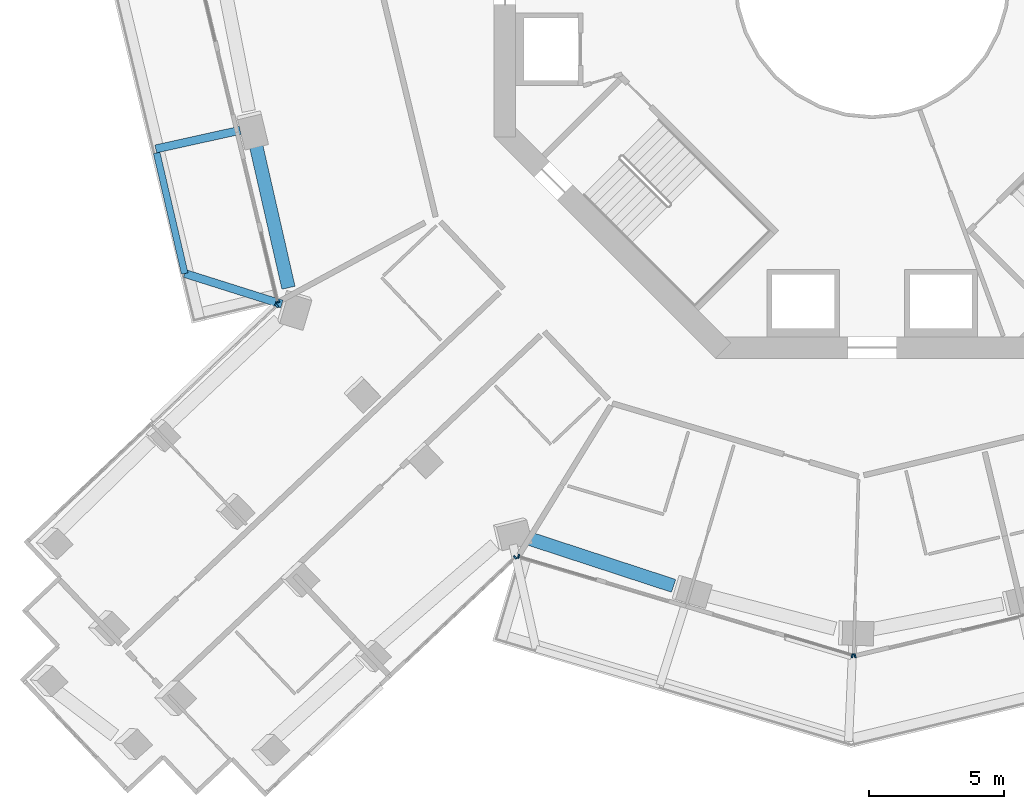
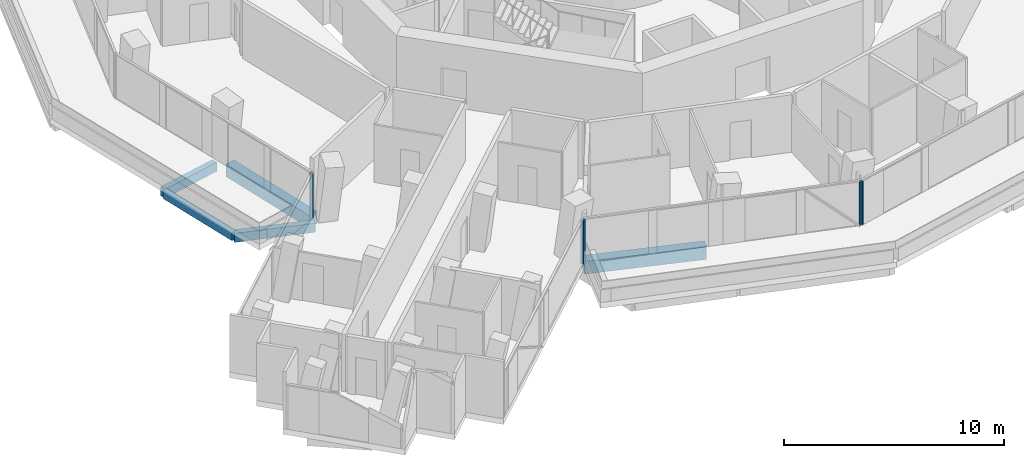
# One storey, part 3 of 27: 6 members, 5 beams, 5 elements without a shape of their own.
"""IFC4 building model written with IfcOpenShell, lengths in metres."""

from ifc_helpers import new_model, si_unit, direction, frame, origin, origin_2d, place, context, subcontext, project, spatial, rectangle, extrude, material, layer, layer_set, material_profile, profile_set, type_object, element, aggregate, save


model = new_model("IFC4")

# Units and contexts
model_context = context("Model", 3, precision=1e-05, world=origin(), true_north=direction((0.0, 1.0)))
body_context = subcontext(model_context, "Body", "Model", "MODEL_VIEW")
ifc_project = project(units=[si_unit("LENGTHUNIT", "METRE"), si_unit("AREAUNIT", "SQUARE_METRE"), si_unit("VOLUMEUNIT", "CUBIC_METRE"), si_unit("PLANEANGLEUNIT", "RADIAN"), si_unit("MASSUNIT", "GRAM", prefix="KILO")], contexts=[model_context])

# Site, building, storey
site_placement = place(None, origin())
site = spatial("IfcSite", under=ifc_project, at=site_placement, CompositionType="ELEMENT")
building_placement = place(site_placement, origin())
building = spatial("IfcBuilding", under=site, at=building_placement, Name="Verdalira Terraces Hotel", CompositionType="ELEMENT")
storey_placement = place(building_placement, frame((0.0, 0.0, 89.5)))
storey = spatial("IfcBuildingStorey", under=building, at=storey_placement, Name="L20", CompositionType="ELEMENT", Elevation=89.5)

# Beams
ifc_material_1 = material(Name="Concrete C40", Category="concrete")
ifc_material_profile_1 = material_profile(ifc_material_1, rectangle(XDim=0.300049, YDim=0.5, at=origin_2d()), Name="RC 300X500")
ifc_profile_set_1 = profile_set([ifc_material_profile_1], Name="Concrete C40")
beam_type_1 = type_object("IfcBeamType", Name="Balcony cantilever beam RC 300X500 C40", PredefinedType="BEAM", material=ifc_profile_set_1)
beam_1_placement = place(storey_placement, frame((-23.408936, -5.550293, -0.560059), z_axis=(-0.976375132, -0.216082396, 0.0), x_axis=(0.216082396, -0.976375132, 0.0)))
element("IfcBeam", 1, at=beam_1_placement, inside=storey, type_object=beam_type_1, Name="Balcony cantilever beam R12-1", PredefinedType="BEAM", context=body_context, shape_type="SweptSolid", body=[
    extrude(rectangle(XDim=0.300049, YDim=0.5, at=origin_2d()), origin(), (0.0, 0.0, 1.0), 3.200928),
])
beam_2_placement = place(storey_placement, frame((-21.865967, -11.990234, -0.560059), z_axis=(-0.953619851, 0.301013587, 0.0), x_axis=(-0.301013587, -0.953619851, 0.0)))
element("IfcBeam", 2, at=beam_2_placement, inside=storey, type_object=beam_type_1, Name="Balcony cantilever beam R12-2", PredefinedType="BEAM", context=body_context, shape_type="SweptSolid", body=[
    extrude(rectangle(XDim=0.300049, YDim=0.5, at=origin_2d()), origin(), (0.0, 0.0, 1.0), 3.769775),
])
ifc_material_2 = material(Name="Concrete C40", Category="concrete")
ifc_material_profile_2 = material_profile(ifc_material_2, rectangle(XDim=0.25, YDim=0.449951, at=origin_2d()), Name="RC 250X450")
ifc_profile_set_2 = profile_set([ifc_material_profile_2], Name="Concrete C40")
beam_type_2 = type_object("IfcBeamType", Name="Balcony edge beam RC 250X450 C40", PredefinedType="BEAM", material=ifc_profile_set_2)
beam_3_placement = place(storey_placement, frame((-26.500244, -6.388184, -0.534912), z_axis=(0.226596874, -0.973988633, 0.0), x_axis=(0.973988633, 0.226596874, 0.0)))
element("IfcBeam", 3, at=beam_3_placement, inside=storey, type_object=beam_type_2, Name="Balcony edge beam R12-1", PredefinedType="BEAM", context=body_context, shape_type="SweptSolid", body=[
    extrude(rectangle(XDim=0.25, YDim=0.449951, at=origin_2d()), origin(), (0.0, 0.0, 1.0), 4.58667),
])

# Curtain wall, member
ifc_material_3 = material(Name="Clear glass", Category="glass")
ifc_layer_1 = layer(ifc_material_3, 0.14990234375)
ifc_layer_set_1 = layer_set([ifc_layer_1], Name="CW1 curtain wall")
curtain_wall_type_1 = type_object("IfcCurtainWallType", Name="CW1 curtain wall", PredefinedType="NOTDEFINED", material=ifc_layer_set_1)
curtain_wall_1_placement = place(storey_placement, origin())
curtain_wall_1 = element("IfcCurtainWall", 4, at=curtain_wall_1_placement, inside=storey, type_object=curtain_wall_type_1, Name="CW1 curtain wall L20 edge 13", PredefinedType="NOTDEFINED")
ifc_material_4 = material(Name="Terracotta frame", Category="masonry")
ifc_material_profile_3 = material_profile(ifc_material_4, rectangle(XDim=0.060059, YDim=0.149902, at=origin_2d()), Name="MU 60x150")
ifc_profile_set_3 = profile_set([ifc_material_profile_3], Name="Terracotta frame")
member_type_1 = type_object("IfcMemberType", Name="CW1 mullion 60x150", PredefinedType="MULLION", material=ifc_profile_set_3)
member_1_placement = place(storey_placement, frame((-22.017334, -11.913574, 0.0), z_axis=(0.0, 0.0, 1.0), x_axis=(0.232426973, -0.972613851, 0.0)))
member_1 = element("IfcMember", 5, at=member_1_placement, type_object=member_type_1, Name="CW1 mullion", PredefinedType="MULLION", context=body_context, shape_type="SweptSolid", body=[
    extrude(rectangle(XDim=0.060059, YDim=0.149902, at=origin_2d()), origin(), (0.0, 0.0, 1.0), 2.425049),
])
aggregate(curtain_wall_1, [member_1])

# Curtain wall, members
curtain_wall_2_placement = place(storey_placement, origin())
curtain_wall_2 = element("IfcCurtainWall", 6, at=curtain_wall_2_placement, inside=storey, type_object=curtain_wall_type_1, Name="CW1 curtain wall L20 edge 25", PredefinedType="NOTDEFINED")
member_2_placement = place(storey_placement, frame((-13.094238, -21.336182, 0.0), z_axis=(0.0, 0.0, 1.0), x_axis=(0.958521789, -0.285019262, 0.0)))
member_2 = element("IfcMember", 7, at=member_2_placement, type_object=member_type_1, Name="CW1 mullion", PredefinedType="MULLION", context=body_context, shape_type="SweptSolid", body=[
    extrude(rectangle(XDim=0.060059, YDim=0.149902, at=origin_2d()), origin(), (0.0, 0.0, 1.0), 2.425049),
])
member_3_placement = place(storey_placement, frame((-0.729492, -25.012939, 0.0), z_axis=(0.0, 0.0, 1.0), x_axis=(0.958521789, -0.285019262, 0.0)))
member_3 = element("IfcMember", 8, at=member_3_placement, type_object=member_type_1, Name="CW1 mullion", PredefinedType="MULLION", context=body_context, shape_type="SweptSolid", body=[
    extrude(rectangle(XDim=0.060059, YDim=0.149902, at=origin_2d()), origin(), (0.0, 0.0, 1.0), 2.425049),
])
aggregate(curtain_wall_2, [member_2, member_3])

# Curtain wall, member
curtain_wall_3_placement = place(storey_placement, origin())
curtain_wall_3 = element("IfcCurtainWall", 9, at=curtain_wall_3_placement, inside=storey, type_object=curtain_wall_type_1, Name="CW1 curtain wall L20 edge 26", PredefinedType="NOTDEFINED")
member_4_placement = place(storey_placement, frame((-0.632812, -25.015381, 0.0), z_axis=(0.0, 0.0, 1.0), x_axis=(0.972613851, 0.232426973, 0.0)))
member_4 = element("IfcMember", 10, at=member_4_placement, type_object=member_type_1, Name="CW1 mullion", PredefinedType="MULLION", context=body_context, shape_type="SweptSolid", body=[
    extrude(rectangle(XDim=0.060059, YDim=0.149902, at=origin_2d()), origin(), (0.0, 0.0, 1.0), 2.425049),
])
aggregate(curtain_wall_3, [member_4])

ifc_material_5 = material(Name="Clear glass", Category="glass")
ifc_layer_2 = layer(ifc_material_5, 0.14990234375)
ifc_layer_set_2 = layer_set([ifc_layer_2], Name="CW2 curtain wall")
curtain_wall_type_2 = type_object("IfcCurtainWallType", Name="CW2 curtain wall", PredefinedType="NOTDEFINED", material=ifc_layer_set_2)
curtain_wall_4_placement = place(storey_placement, origin())
curtain_wall_4 = element("IfcCurtainWall", 11, at=curtain_wall_4_placement, inside=storey, type_object=curtain_wall_type_2, Name="CW2 curtain wall L20 edge 14", PredefinedType="NOTDEFINED")
ifc_material_6 = material(Name="Terracotta frame", Category="masonry")
ifc_material_profile_4 = material_profile(ifc_material_6, rectangle(XDim=0.070068, YDim=0.149902, at=origin_2d()), Name="MU 70x150")
ifc_profile_set_4 = profile_set([ifc_material_profile_4], Name="Terracotta frame")
member_type_2 = type_object("IfcMemberType", Name="CW2 mullion 70x150", PredefinedType="MULLION", material=ifc_profile_set_4)
member_5_placement = place(storey_placement, frame((-22.057129, -12.038818, 0.0), z_axis=(0.0, 0.0, 1.0), x_axis=(-0.726094816, -0.687594588, 0.0)))
member_5 = element("IfcMember", 12, at=member_5_placement, type_object=member_type_2, Name="CW2 mullion", PredefinedType="MULLION", context=body_context, shape_type="SweptSolid", body=[
    extrude(rectangle(XDim=0.070068, YDim=0.149902, at=origin_2d()), origin(), (0.0, 0.0, 1.0), 2.425049),
])
aggregate(curtain_wall_4, [member_5])

curtain_wall_5_placement = place(storey_placement, origin())
curtain_wall_5 = element("IfcCurtainWall", 13, at=curtain_wall_5_placement, inside=storey, type_object=curtain_wall_type_2, Name="CW2 curtain wall L20 edge 24", PredefinedType="NOTDEFINED")
member_6_placement = place(storey_placement, frame((-13.221436, -21.369141, 0.0), z_axis=(0.0, 0.0, 1.0), x_axis=(0.726094816, 0.687594588, 0.0)))
member_6 = element("IfcMember", 14, at=member_6_placement, type_object=member_type_2, Name="CW2 mullion", PredefinedType="MULLION", context=body_context, shape_type="SweptSolid", body=[
    extrude(rectangle(XDim=0.070068, YDim=0.149902, at=origin_2d()), origin(), (0.0, 0.0, 1.0), 2.425049),
])
aggregate(curtain_wall_5, [member_6])

# Beams
ifc_material_7 = material(Name="Concrete C70", Category="concrete")
ifc_material_profile_5 = material_profile(ifc_material_7, rectangle(XDim=0.5, YDim=0.699951, at=origin_2d()), Name="RC 500X700")
ifc_profile_set_5 = profile_set([ifc_material_profile_5], Name="Concrete C70")
beam_type_3 = type_object("IfcBeamType", Name="Spandrel beam RC 500X700 C70", PredefinedType="SPANDREL", material=ifc_profile_set_5)
beam_4_placement = place(storey_placement, frame((-22.850098, -5.977783, -0.659912), z_axis=(0.222209083, -0.974999038, 0.0), x_axis=(0.974999038, 0.222209083, 0.0)))
element("IfcBeam", 15, at=beam_4_placement, inside=storey, type_object=beam_type_3, Name="Spandrel beam B09", PredefinedType="SPANDREL", context=body_context, shape_type="SweptSolid", body=[
    extrude(rectangle(XDim=0.5, YDim=0.699951, at=origin_2d()), origin(), (0.0, 0.0, 1.0), 5.545166),
])
beam_5_placement = place(storey_placement, frame((-12.740967, -20.661133, -0.659912), z_axis=(0.950306393, -0.311316173, 0.0), x_axis=(0.311316173, 0.950306393, 0.0)))
element("IfcBeam", 16, at=beam_5_placement, inside=storey, type_object=beam_type_3, Name="Spandrel beam B15", PredefinedType="SPANDREL", context=body_context, shape_type="SweptSolid", body=[
    extrude(rectangle(XDim=0.5, YDim=0.699951, at=origin_2d()), origin(), (0.0, 0.0, 1.0), 5.671387),
])

save(model, "model.ifc")
